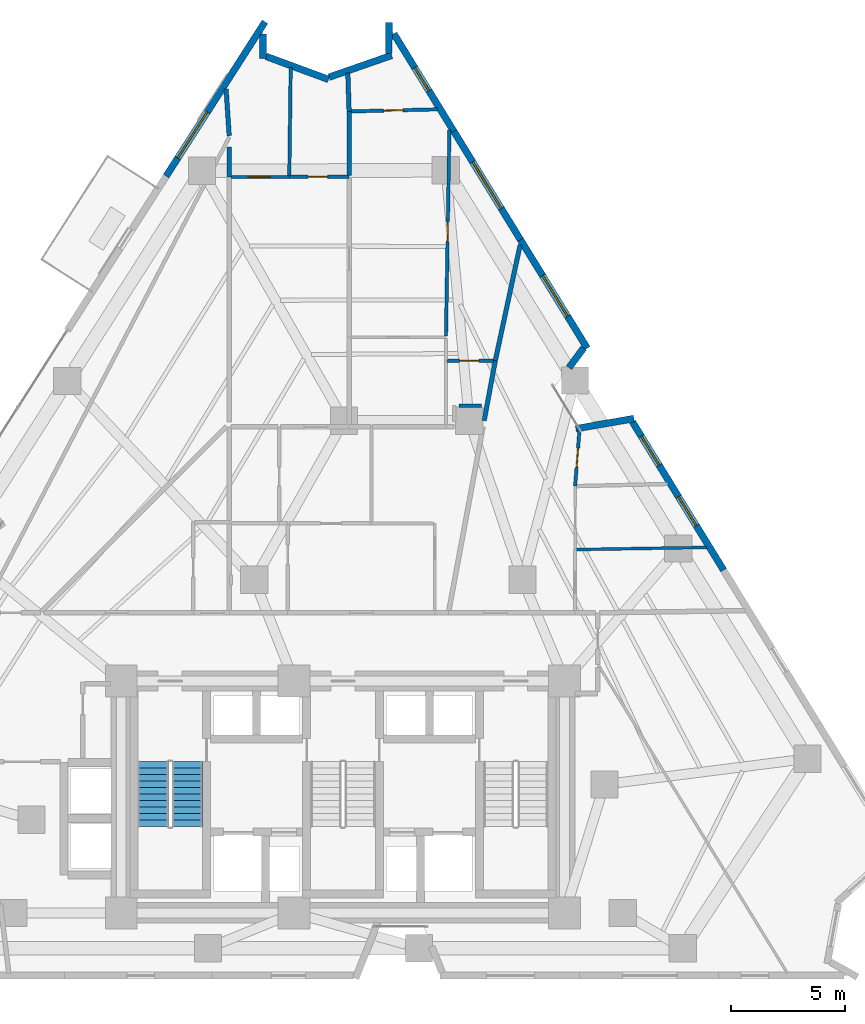
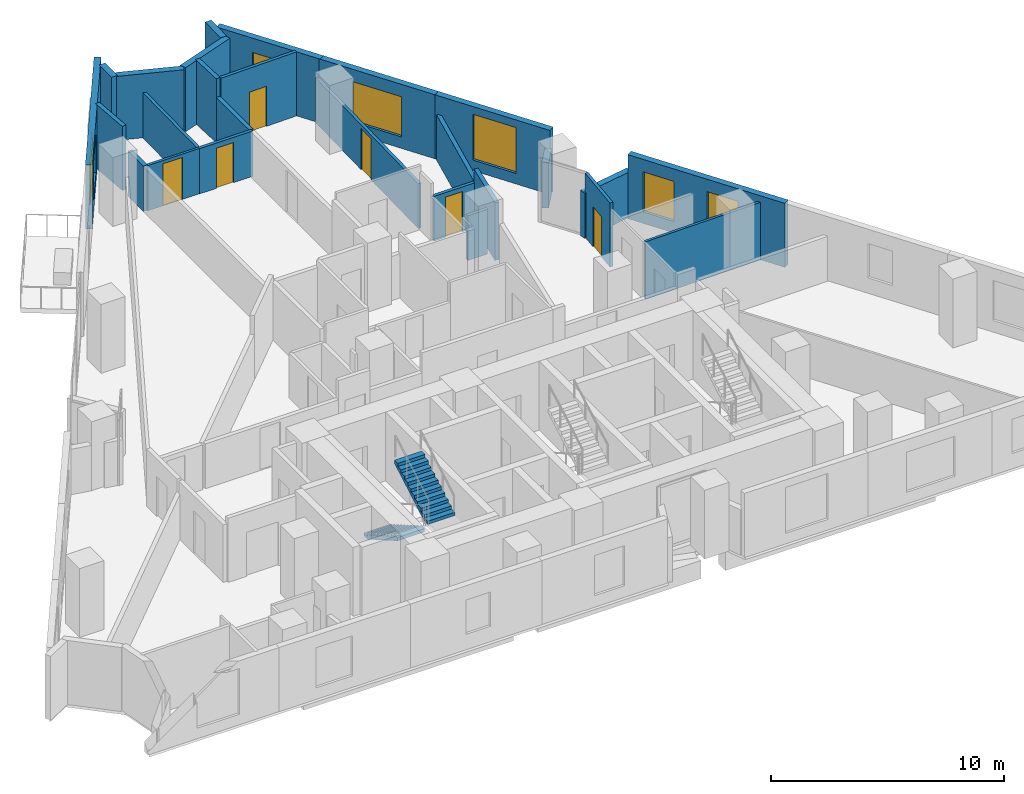
# One storey, part 9 of 13: 26 walls, 6 doors, 6 windows, 2 stair flights, 12 openings, 1 element without a shape of its own.
"""IFC4 building model written with IfcOpenShell, lengths in metres."""

from ifc_helpers import new_model, si_unit, direction, frame, frame_2d, origin, place, context, subcontext, project, spatial, polyline, rectangle, outline, extrude, material, layer, layer_set, type_object, element, fill, aggregate, save


model = new_model("IFC4")

# Units and contexts
model_context = context("Model", 3, precision=1e-05, world=origin(), true_north=direction((0.0, 1.0)))
body_context = subcontext(model_context, "Body", "Model", "MODEL_VIEW")
ifc_project = project(units=[si_unit("LENGTHUNIT", "METRE"), si_unit("AREAUNIT", "SQUARE_METRE"), si_unit("VOLUMEUNIT", "CUBIC_METRE"), si_unit("PLANEANGLEUNIT", "RADIAN"), si_unit("MASSUNIT", "GRAM", prefix="KILO")], contexts=[model_context])

# Site, building, storey
site_placement = place(None, origin())
site = spatial("IfcSite", under=ifc_project, at=site_placement, CompositionType="ELEMENT")
building_placement = place(site_placement, origin())
building = spatial("IfcBuilding", under=site, at=building_placement, Name="Almagre Mirador Tower", CompositionType="ELEMENT")
storey_placement = place(building_placement, frame((0.0, 0.0, 78.60009765625)))
storey = spatial("IfcBuildingStorey", under=building, at=storey_placement, Name="L19", CompositionType="ELEMENT", Elevation=78.60009765625)

# Wall, opening, window
ifc_material_1 = material(Name="Precast concrete C50/60", Category="concrete")
ifc_layer_1 = layer(ifc_material_1, 0.300048828125)
ifc_layer_set_1 = layer_set([ifc_layer_1], Name="Precast concrete C50/60")
wall_type_1 = type_object("IfcWallType", Name="WAL-EXT-300", PredefinedType="SOLIDWALL", material=ifc_layer_set_1)
wall_1_placement = place(storey_placement, frame((29.523681640625, 36.955322265625, 0.0), z_axis=(0.0, 0.0, 1.0), x_axis=(0.539470626143, 0.842004420136, 0.0)))
wall_1 = element("IfcWall", 1, at=wall_1_placement, inside=storey, type_object=wall_type_1, Name="L19 expressed almagre precast frame wall 05", PredefinedType="SOLIDWALL", context=body_context, shape_type="SweptSolid", body=[
    extrude(rectangle(XDim=8.057861328125, YDim=0.300048828125, at=frame_2d((4.02880859375, 0.0))), origin(), (0.0, 0.0, 1.0), 3.349853515625),
])
opening_1_placement = place(wall_1_placement, frame((0.949951171875, 0.0, 0.60009765625)))
opening_1 = element("IfcOpeningElement", 2, at=opening_1_placement, cuts=wall_1, Name="Opening WN-02", PredefinedType="OPENING", context=body_context, shape_type="SweptSolid", body=[
    extrude(rectangle(XDim=2.39990234375, YDim=2.10009765625, at=frame_2d((1.199951171875, 1.050048828125))), frame((0.0, 0.159902, 0.0), z_axis=(0.0, -1.0, 0.0), x_axis=(1.0, 0.0, 0.0)), (0.0, 0.0, 1.0), 0.320049),
])
ifc_material_2 = material(Name="Dark solar-control laminated hurricane glass", Category="glass")
window_type_1 = type_object("IfcWindowType", Name="WIN-2400X2100", PartitioningType="TRIPLE_PANEL_VERTICAL", PredefinedType="WINDOW", material=ifc_material_2)
window_1_placement = place(opening_1_placement, origin())
window_1 = element("IfcWindow", 3, at=window_1_placement, inside=storey, type_object=window_type_1, Name="L19 recessed hurricane window L19-RST-E", OverallHeight=2.10009765625, OverallWidth=2.39990234375, PartitioningType="SINGLE_PANEL", PredefinedType="WINDOW", context=body_context, shape_type="SweptSolid", body=[
    extrude(rectangle(XDim=2.39990234375, YDim=2.10009765625, at=frame_2d((1.199951171875, 1.050048828125))), frame((0.0, 0.030029296875, 0.0), z_axis=(0.0, -1.0, 0.0), x_axis=(1.0, 0.0, 0.0)), (0.0, 0.0, 1.0), 0.06005859375),
])
fill(opening_1, window_1)

# Walls
wall_2_placement = place(storey_placement, frame((33.791015625, 43.201904296875, 0.0), z_axis=(0.0, 0.0, 1.0), x_axis=(-0.009584224316, -0.999954070267, 0.0)))
element("IfcWall", 4, at=wall_2_placement, inside=storey, type_object=wall_type_1, Name="L19 expressed almagre precast frame wall 06", PredefinedType="SOLIDWALL", context=body_context, shape_type="SweptSolid", body=[
    extrude(rectangle(XDim=1.06982421875, YDim=0.300048828125, at=frame_2d((0.534912109375, 0.0))), origin(), (0.0, 0.0, 1.0), 3.349853515625),
])
wall_3_placement = place(storey_placement, frame((33.90869140625, 42.225341796875, 0.0), z_axis=(0.0, 0.0, 1.0), x_axis=(0.938225446259, -0.346024582931, 0.0)))
element("IfcWall", 5, at=wall_3_placement, inside=storey, type_object=wall_type_1, Name="L19 expressed almagre precast frame wall 07", PredefinedType="SOLIDWALL", context=body_context, shape_type="SweptSolid", body=[
    extrude(rectangle(XDim=2.94140625, YDim=0.300048828125, at=frame_2d((1.470703125, 0.0))), origin(), (0.0, 0.0, 1.0), 3.349853515625),
])
wall_4_placement = place(storey_placement, frame((36.688232421875, 41.30859375, 0.0), z_axis=(0.0, 0.0, 1.0), x_axis=(0.944571305793, 0.328306332978, 0.0)))
element("IfcWall", 6, at=wall_4_placement, inside=storey, type_object=wall_type_1, Name="L19 expressed almagre precast frame wall 08", PredefinedType="SOLIDWALL", context=body_context, shape_type="SweptSolid", body=[
    extrude(rectangle(XDim=2.91650390625, YDim=0.300048828125, at=frame_2d((1.458251953125, 0.0))), origin(), (0.0, 0.0, 1.0), 3.349853515625),
])
wall_5_placement = place(storey_placement, frame((39.312255859375, 42.35498046875, 0.0), z_axis=(0.0, 0.0, 1.0), x_axis=(0.008828484753, 0.999961028169, 0.0)))
element("IfcWall", 7, at=wall_5_placement, inside=storey, type_object=wall_type_1, Name="L19 expressed almagre precast frame wall 09", PredefinedType="SOLIDWALL", context=body_context, shape_type="SweptSolid", body=[
    extrude(rectangle(XDim=1.35498046875, YDim=0.300048828125, at=frame_2d((0.677490234375, 0.0))), origin(), (0.0, 0.0, 1.0), 3.349853515625),
])

# Wall, opening, window
wall_6_placement = place(storey_placement, frame((39.540283203125, 43.216552734375, 0.0), z_axis=(0.0, 0.0, 1.0), x_axis=(0.52373802156, -0.851879383935, 0.0)))
wall_6 = element("IfcWall", 8, at=wall_6_placement, inside=storey, type_object=wall_type_1, Name="L19 expressed almagre precast frame wall 10", PredefinedType="SOLIDWALL", context=body_context, shape_type="SweptSolid", body=[
    extrude(rectangle(XDim=5.04150390625, YDim=0.300048828125, at=frame_2d((2.520751953125, 0.0))), origin(), (0.0, 0.0, 1.0), 3.349853515625),
])
opening_2_placement = place(wall_6_placement, frame((1.7451171875, 0.0, 0.800048828125)))
opening_2 = element("IfcOpeningElement", 9, at=opening_2_placement, cuts=wall_6, Name="Opening WN-04", PredefinedType="OPENING", context=body_context, shape_type="SweptSolid", body=[
    extrude(rectangle(XDim=1.199951171875, YDim=1.800048828125, at=frame_2d((0.60009765625, 0.89990234375))), frame((0.0, 0.159902, 0.0), z_axis=(0.0, -1.0, 0.0), x_axis=(1.0, 0.0, 0.0)), (0.0, 0.0, 1.0), 0.320049),
])
ifc_material_3 = material(Name="Dark solar-control laminated hurricane glass", Category="glass")
window_type_2 = type_object("IfcWindowType", Name="WIN-1200X1800", PartitioningType="SINGLE_PANEL", PredefinedType="WINDOW", material=ifc_material_3)
window_2_placement = place(opening_2_placement, origin())
window_2 = element("IfcWindow", 10, at=window_2_placement, inside=storey, type_object=window_type_2, Name="L19 recessed hurricane window L19-UL-HB", OverallHeight=1.800048828125, OverallWidth=1.199951171875, PartitioningType="SINGLE_PANEL", PredefinedType="WINDOW", context=body_context, shape_type="SweptSolid", body=[
    extrude(rectangle(XDim=1.199951171875, YDim=1.800048828125, at=frame_2d((0.60009765625, 0.89990234375))), frame((0.0, 0.030029296875, 0.0), z_axis=(0.0, -1.0, 0.0), x_axis=(1.0, 0.0, 0.0)), (0.0, 0.0, 1.0), 0.06005859375),
])
fill(opening_2, window_2)

wall_7_placement = place(storey_placement, frame((42.15283203125, 38.967041015625, 0.0), z_axis=(0.0, 0.0, 1.0), x_axis=(0.523687465278, -0.851910464022, 0.0)))
wall_7 = element("IfcWall", 11, at=wall_7_placement, inside=storey, type_object=wall_type_1, Name="L19 expressed almagre precast frame wall 11", PredefinedType="SOLIDWALL", context=body_context, shape_type="SweptSolid", body=[
    extrude(rectangle(XDim=5.6494140625, YDim=0.300048828125, at=frame_2d((2.82470703125, 0.0))), origin(), (0.0, 0.0, 1.0), 3.349853515625),
])
opening_3_placement = place(wall_7_placement, frame((1.6279296875, 0.0, 0.60009765625)))
opening_3 = element("IfcOpeningElement", 12, at=opening_3_placement, cuts=wall_7, Name="Opening WN-02", PredefinedType="OPENING", context=body_context, shape_type="SweptSolid", body=[
    extrude(rectangle(XDim=2.39990234375, YDim=2.10009765625, at=frame_2d((1.199951171875, 1.050048828125))), frame((0.0, 0.159902, 0.0), z_axis=(0.0, -1.0, 0.0), x_axis=(1.0, 0.0, 0.0)), (0.0, 0.0, 1.0), 0.320049),
])
window_3_placement = place(opening_3_placement, origin())
window_3 = element("IfcWindow", 13, at=window_3_placement, inside=storey, type_object=window_type_1, Name="L19 recessed hurricane window L19-UL-MB", OverallHeight=2.10009765625, OverallWidth=2.39990234375, PartitioningType="SINGLE_PANEL", PredefinedType="WINDOW", context=body_context, shape_type="SweptSolid", body=[
    extrude(rectangle(XDim=2.39990234375, YDim=2.10009765625, at=frame_2d((1.199951171875, 1.050048828125))), frame((0.0, 0.030029296875, 0.0), z_axis=(0.0, -1.0, 0.0), x_axis=(1.0, 0.0, 0.0)), (0.0, 0.0, 1.0), 0.06005859375),
])
fill(opening_3, window_3)

wall_8_placement = place(storey_placement, frame((45.111328125, 34.154296875, 0.0), z_axis=(0.0, 0.0, 1.0), x_axis=(0.523710369238, -0.851896384047, 0.0)))
wall_8 = element("IfcWall", 14, at=wall_8_placement, inside=storey, type_object=wall_type_1, Name="L19 expressed almagre precast frame wall 12", PredefinedType="SOLIDWALL", context=body_context, shape_type="SweptSolid", body=[
    extrude(rectangle(XDim=5.596435546875, YDim=0.300048828125, at=frame_2d((2.79833984375, 0.0))), origin(), (0.0, 0.0, 1.0), 3.349853515625),
])
opening_4_placement = place(wall_8_placement, frame((1.85009765625, 0.0, 0.550048828125)))
opening_4 = element("IfcOpeningElement", 15, at=opening_4_placement, cuts=wall_8, Name="Opening WN-05", PredefinedType="OPENING", context=body_context, shape_type="SweptSolid", body=[
    extrude(rectangle(XDim=2.10009765625, YDim=2.39990234375, at=frame_2d((1.050048828125, 1.199951171875))), frame((0.0, 0.159902, 0.0), z_axis=(0.0, -1.0, 0.0), x_axis=(1.0, 0.0, 0.0)), (0.0, 0.0, 1.0), 0.320049),
])
ifc_material_4 = material(Name="Dark solar-control laminated hurricane glass", Category="glass")
window_type_3 = type_object("IfcWindowType", Name="WIN-2100X2400", PartitioningType="DOUBLE_PANEL_VERTICAL", PredefinedType="WINDOW", material=ifc_material_4)
window_4_placement = place(opening_4_placement, origin())
window_4 = element("IfcWindow", 16, at=window_4_placement, inside=storey, type_object=window_type_3, Name="L19 recessed hurricane window L19-UJ-LV", OverallHeight=2.39990234375, OverallWidth=2.10009765625, PartitioningType="SINGLE_PANEL", PredefinedType="WINDOW", context=body_context, shape_type="SweptSolid", body=[
    extrude(rectangle(XDim=2.10009765625, YDim=2.39990234375, at=frame_2d((1.050048828125, 1.199951171875))), frame((0.0, 0.030029296875, 0.0), z_axis=(0.0, -1.0, 0.0), x_axis=(1.0, 0.0, 0.0)), (0.0, 0.0, 1.0), 0.06005859375),
])
fill(opening_4, window_4)

# Walls
wall_9_placement = place(storey_placement, frame((47.88525390625, 29.393798828125, 0.0), z_axis=(0.0, 0.0, 1.0), x_axis=(-0.598186461049, -0.801356947819, 0.0)))
element("IfcWall", 17, at=wall_9_placement, inside=storey, type_object=wall_type_1, Name="L19 expressed almagre precast frame wall 13", PredefinedType="SOLIDWALL", context=body_context, shape_type="SweptSolid", body=[
    extrude(rectangle(XDim=1.077880859375, YDim=0.300048828125, at=frame_2d((0.5390625, 0.0))), origin(), (0.0, 0.0, 1.0), 2.375),
])
wall_10_placement = place(storey_placement, frame((47.541015625, 25.846923828125, 0.0), z_axis=(0.0, 0.0, 1.0), x_axis=(0.985095505459, 0.172008270511, 0.0)))
element("IfcWall", 18, at=wall_10_placement, inside=storey, type_object=wall_type_1, Name="L19 expressed almagre precast frame wall 14", PredefinedType="SOLIDWALL", context=body_context, shape_type="SweptSolid", body=[
    extrude(rectangle(XDim=2.594482421875, YDim=0.300048828125, at=frame_2d((1.29736328125, 0.0))), origin(), (0.0, 0.0, 1.0), 2.375),
])

# Wall, openings, windows
wall_11_placement = place(storey_placement, frame((50.0322265625, 26.14990234375, 0.0), z_axis=(0.0, 0.0, 1.0), x_axis=(0.523673810553, -0.851918857721, 0.0)))
wall_11 = element("IfcWall", 19, at=wall_11_placement, inside=storey, type_object=wall_type_1, Name="L19 expressed almagre precast frame wall 15", PredefinedType="SOLIDWALL", context=body_context, shape_type="SweptSolid", body=[
    extrude(rectangle(XDim=7.654296875, YDim=0.300048828125, at=frame_2d((3.8271484375, 0.0))), origin(), (0.0, 0.0, 1.0), 3.349853515625),
])
opening_5_placement = place(wall_11_placement, frame((0.7451171875, 0.0, 0.60009765625)))
opening_5 = element("IfcOpeningElement", 20, at=opening_5_placement, cuts=wall_11, Name="Opening WN-03", PredefinedType="OPENING", context=body_context, shape_type="SweptSolid", body=[
    extrude(rectangle(XDim=1.5, YDim=2.10009765625, at=frame_2d((0.75, 1.050048828125))), frame((0.0, 0.159902, 0.0), z_axis=(0.0, -1.0, 0.0), x_axis=(1.0, 0.0, 0.0)), (0.0, 0.0, 1.0), 0.320049),
])
opening_6_placement = place(wall_11_placement, frame((3.8701171875, 0.0, 0.60009765625)))
opening_6 = element("IfcOpeningElement", 21, at=opening_6_placement, cuts=wall_11, Name="Opening WN-03", PredefinedType="OPENING", context=body_context, shape_type="SweptSolid", body=[
    extrude(rectangle(XDim=1.5, YDim=2.10009765625, at=frame_2d((0.75, 1.050048828125))), frame((0.0, 0.159902, 0.0), z_axis=(0.0, -1.0, 0.0), x_axis=(1.0, 0.0, 0.0)), (0.0, 0.0, 1.0), 0.320049),
])
ifc_material_5 = material(Name="Dark solar-control laminated hurricane glass", Category="glass")
window_type_4 = type_object("IfcWindowType", Name="WIN-1500X2100", PartitioningType="DOUBLE_PANEL_VERTICAL", PredefinedType="WINDOW", material=ifc_material_5)
window_5_placement = place(opening_5_placement, origin())
window_5 = element("IfcWindow", 22, at=window_5_placement, inside=storey, type_object=window_type_4, Name="L19 recessed hurricane window L19-UJ-HB", OverallHeight=2.10009765625, OverallWidth=1.5, PartitioningType="SINGLE_PANEL", PredefinedType="WINDOW", context=body_context, shape_type="SweptSolid", body=[
    extrude(rectangle(XDim=1.5, YDim=2.10009765625, at=frame_2d((0.75, 1.050048828125))), frame((0.0, 0.030029296875, 0.0), z_axis=(0.0, -1.0, 0.0), x_axis=(1.0, 0.0, 0.0)), (0.0, 0.0, 1.0), 0.06005859375),
])
fill(opening_5, window_5)
window_6_placement = place(opening_6_placement, origin())
window_6 = element("IfcWindow", 23, at=window_6_placement, inside=storey, type_object=window_type_4, Name="L19 recessed hurricane window L19-UJ-MB", OverallHeight=2.10009765625, OverallWidth=1.5, PartitioningType="SINGLE_PANEL", PredefinedType="WINDOW", context=body_context, shape_type="SweptSolid", body=[
    extrude(rectangle(XDim=1.5, YDim=2.10009765625, at=frame_2d((0.75, 1.050048828125))), frame((0.0, 0.030029296875, 0.0), z_axis=(0.0, -1.0, 0.0), x_axis=(1.0, 0.0, 0.0)), (0.0, 0.0, 1.0), 0.06005859375),
])
fill(opening_6, window_6)

# Wall
ifc_material_6 = material(Name="Gypsum acoustic stud partition", Category="other")
ifc_layer_2 = layer(ifc_material_6, 0.125)
ifc_layer_set_2 = layer_set([ifc_layer_2], Name="Gypsum acoustic stud partition")
wall_type_2 = type_object("IfcWallType", Name="WAL-PRT-125-UTL", PredefinedType="PARTITIONING", material=ifc_layer_set_2)
wall_12_placement = place(storey_placement, frame((53.298095703125, 20.625, 0.0), z_axis=(0.0, 0.0, 1.0), x_axis=(-0.9998645785, -0.016456751239, 0.0)))
element("IfcWall", 24, at=wall_12_placement, inside=storey, type_object=wall_type_2, Name="L19 interior partition 057", PredefinedType="PARTITIONING", context=body_context, shape_type="SweptSolid", body=[
    extrude(rectangle(XDim=5.7412109375, YDim=0.125, at=frame_2d((2.87060546875, 0.0))), origin(), (0.0, 0.0, 1.0), 3.010009765625),
])

# Wall, opening, door
wall_13_placement = place(storey_placement, frame((34.93994140625, 36.919921875, 0.0), z_axis=(0.0, 0.0, 1.0), x_axis=(-1.0, 0.0, 0.0)))
wall_13 = element("IfcWall", 25, at=wall_13_placement, inside=storey, type_object=wall_type_2, Name="L19 interior partition 058", PredefinedType="PARTITIONING", context=body_context, shape_type="SweptSolid", body=[
    extrude(rectangle(XDim=2.554931640625, YDim=0.125, at=frame_2d((1.27734375, 0.0))), origin(), (0.0, 0.0, 1.0), 2.369873046875),
])
opening_7_placement = place(wall_13_placement, frame((0.844970703125, 0.0, 0.0)))
opening_7 = element("IfcOpeningElement", 26, at=opening_7_placement, cuts=wall_13, Name="Opening UD-01", PredefinedType="OPENING", context=body_context, shape_type="SweptSolid", body=[
    extrude(rectangle(XDim=0.949951171875, YDim=2.199951171875, at=frame_2d((0.47509765625, 1.10009765625))), frame((0.0, 0.0725, 0.0), z_axis=(0.0, -1.0, 0.0), x_axis=(1.0, 0.0, 0.0)), (0.0, 0.0, 1.0), 0.145),
])
ifc_material_7 = material(Name="Solid American walnut timber", Category="wood")
door_type_1 = type_object("IfcDoorType", Name="DOR-UNR-950X2200", OperationType="NOTDEFINED", PredefinedType="DOOR", material=ifc_material_7)
door_1_placement = place(opening_7_placement, origin())
door_1 = element("IfcDoor", 27, at=door_1_placement, inside=storey, type_object=door_type_1, Name="DR-0658 L19 interior door L19-UK-ST to L19-UK-KT", OperationType="SINGLE_SWING_RIGHT", OverallHeight=2.199951171875, OverallWidth=0.949951171875, PredefinedType="DOOR", context=body_context, shape_type="SweptSolid", body=[
    extrude(rectangle(XDim=0.949951171875, YDim=2.199951171875, at=frame_2d((0.47509765625, 1.10009765625))), frame((0.0, 0.02490234375, 0.0), z_axis=(0.0, -1.0, 0.0), x_axis=(1.0, 0.0, 0.0)), (0.0, 0.0, 1.0), 0.050048828125),
])
fill(opening_7, door_1)

ifc_material_8 = material(Name="Gypsum acoustic stud partition", Category="other")
ifc_layer_3 = layer(ifc_material_8, 0.14990234375)
ifc_layer_set_3 = layer_set([ifc_layer_3], Name="Gypsum acoustic stud partition")
wall_type_3 = type_object("IfcWallType", Name="WAL-PRT-150-STD", PredefinedType="PARTITIONING", material=ifc_layer_set_3)
wall_14_placement = place(storey_placement, frame((47.510009765625, 23.320068359375, 0.0), z_axis=(0.0, 0.0, 1.0), x_axis=(0.077275386284, 0.997009786649, 0.0)))
wall_14 = element("IfcWall", 28, at=wall_14_placement, inside=storey, type_object=wall_type_3, Name="L19 interior partition 051", PredefinedType="PARTITIONING", context=body_context, shape_type="SweptSolid", body=[
    extrude(rectangle(XDim=2.483154296875, YDim=0.14990234375, at=frame_2d((1.24169921875, 0.0))), origin(), (0.0, 0.0, 1.0), 3.349853515625),
])
opening_8_placement = place(wall_14_placement, frame((0.828125, 0.0, 0.0)))
opening_8 = element("IfcOpeningElement", 29, at=opening_8_placement, cuts=wall_14, Name="Opening UD-04", PredefinedType="OPENING", context=body_context, shape_type="SweptSolid", body=[
    extrude(rectangle(XDim=0.85009765625, YDim=2.10009765625, at=frame_2d((0.425048828125, 1.050048828125))), frame((0.0, 0.084951, 0.0), z_axis=(0.0, -1.0, 0.0), x_axis=(1.0, 0.0, 0.0)), (0.0, 0.0, 1.0), 0.169902),
])
ifc_material_9 = material(Name="Moisture-resistant oak timber", Category="wood")
door_type_2 = type_object("IfcDoorType", Name="DOR-UNR-850X2100", OperationType="NOTDEFINED", PredefinedType="DOOR", material=ifc_material_9)
door_2_placement = place(opening_8_placement, origin())
door_2 = element("IfcDoor", 30, at=door_2_placement, inside=storey, type_object=door_type_2, Name="DR-0656 L19 interior door L19-UJ-LV to L19-UJ-HB", OperationType="SINGLE_SWING_RIGHT", OverallHeight=2.10009765625, OverallWidth=0.85009765625, PredefinedType="DOOR", context=body_context, shape_type="SweptSolid", body=[
    extrude(rectangle(XDim=0.85009765625, YDim=2.10009765625, at=frame_2d((0.425048828125, 1.050048828125))), frame((0.0, 0.02490234375, 0.0), z_axis=(0.0, -1.0, 0.0), x_axis=(1.0, 0.0, 0.0)), (0.0, 0.0, 1.0), 0.050048828125),
])
fill(opening_8, door_2)

wall_15_placement = place(storey_placement, frame((37.570068359375, 36.919921875, 0.0), z_axis=(0.0, 0.0, 1.0), x_axis=(-1.0, 0.0, 0.0)))
wall_15 = element("IfcWall", 31, at=wall_15_placement, inside=storey, type_object=wall_type_3, Name="L19 interior partition 059", PredefinedType="PARTITIONING", context=body_context, shape_type="SweptSolid", body=[
    extrude(rectangle(XDim=2.630126953125, YDim=0.14990234375, at=frame_2d((1.31494140625, 0.0))), origin(), (0.0, 0.0, 1.0), 2.369873046875),
])
opening_9_placement = place(wall_15_placement, frame((0.94775390625, 0.0, 0.0)))
opening_9 = element("IfcOpeningElement", 32, at=opening_9_placement, cuts=wall_15, Name="Opening UD-04", PredefinedType="OPENING", context=body_context, shape_type="SweptSolid", body=[
    extrude(rectangle(XDim=0.85009765625, YDim=2.10009765625, at=frame_2d((0.425048828125, 1.050048828125))), frame((0.0, 0.084951, 0.0), z_axis=(0.0, -1.0, 0.0), x_axis=(1.0, 0.0, 0.0)), (0.0, 0.0, 1.0), 0.169902),
])
door_3_placement = place(opening_9_placement, origin())
door_3 = element("IfcDoor", 33, at=door_3_placement, inside=storey, type_object=door_type_2, Name="DR-0659 L19 interior door L19-UK-ST to L19-UK-BT", OperationType="SINGLE_SWING_LEFT", OverallHeight=2.10009765625, OverallWidth=0.85009765625, PredefinedType="DOOR", context=body_context, shape_type="SweptSolid", body=[
    extrude(rectangle(XDim=0.85009765625, YDim=2.10009765625, at=frame_2d((0.425048828125, 1.050048828125))), frame((0.0, 0.02490234375, 0.0), z_axis=(0.0, -1.0, 0.0), x_axis=(1.0, 0.0, 0.0)), (0.0, 0.0, 1.0), 0.050048828125),
])
fill(opening_9, door_3)

# Wall
wall_16_placement = place(storey_placement, frame((34.9404296875, 36.967529296875, 0.0), z_axis=(0.0, 0.0, 1.0), x_axis=(0.012728014725, 0.99991899554, 0.0)))
element("IfcWall", 34, at=wall_16_placement, inside=storey, type_object=wall_type_3, Name="L19 interior partition 062", PredefinedType="PARTITIONING", context=body_context, shape_type="SweptSolid", body=[
    extrude(rectangle(XDim=4.757080078125, YDim=0.14990234375, at=frame_2d((2.37841796875, 0.0))), origin(), (0.0, 0.0, 1.0), 2.369873046875),
])

# Wall, opening, door
wall_17_placement = place(storey_placement, frame((41.448974609375, 39.89111328125, 0.0), z_axis=(0.0, 0.0, 1.0), x_axis=(-0.999721247685, -0.02360989047, 0.0)))
wall_17 = element("IfcWall", 35, at=wall_17_placement, inside=storey, type_object=wall_type_3, Name="L19 interior partition 065", PredefinedType="PARTITIONING", context=body_context, shape_type="SweptSolid", body=[
    extrude(rectangle(XDim=3.794921875, YDim=0.14990234375, at=frame_2d((1.8974609375, 0.0))), origin(), (0.0, 0.0, 1.0), 3.349853515625),
])
opening_10_placement = place(wall_17_placement, frame((1.505615234375, 0.0, 0.0)))
opening_10 = element("IfcOpeningElement", 36, at=opening_10_placement, cuts=wall_17, Name="Opening UD-04", PredefinedType="OPENING", context=body_context, shape_type="SweptSolid", body=[
    extrude(rectangle(XDim=0.85009765625, YDim=2.10009765625, at=frame_2d((0.425048828125, 1.050048828125))), frame((0.0, 0.084951, 0.0), z_axis=(0.0, -1.0, 0.0), x_axis=(1.0, 0.0, 0.0)), (0.0, 0.0, 1.0), 0.169902),
])
door_4_placement = place(opening_10_placement, origin())
door_4 = element("IfcDoor", 37, at=door_4_placement, inside=storey, type_object=door_type_2, Name="DR-0661 L19 interior door L19-UL-LV to L19-UL-HB", OperationType="SINGLE_SWING_LEFT", OverallHeight=2.10009765625, OverallWidth=0.85009765625, PredefinedType="DOOR", context=body_context, shape_type="SweptSolid", body=[
    extrude(rectangle(XDim=0.85009765625, YDim=2.10009765625, at=frame_2d((0.425048828125, 1.050048828125))), frame((0.0, 0.02490234375, 0.0), z_axis=(0.0, -1.0, 0.0), x_axis=(1.0, 0.0, 0.0)), (0.0, 0.0, 1.0), 0.050048828125),
])
fill(opening_10, door_4)

wall_18_placement = place(storey_placement, frame((41.83056640625, 29.91748046875, 0.0), z_axis=(0.0, 0.0, 1.0), x_axis=(0.016599696118, 0.999862215552, 0.0)))
wall_18 = element("IfcWall", 38, at=wall_18_placement, inside=storey, type_object=wall_type_3, Name="L19 interior partition 067", PredefinedType="PARTITIONING", context=body_context, shape_type="SweptSolid", body=[
    extrude(rectangle(XDim=9.059814453125, YDim=0.14990234375, at=frame_2d((4.52978515625, 0.0))), origin(), (0.0, 0.0, 1.0), 2.344970703125),
])
opening_11_placement = place(wall_18_placement, frame((4.151611328125, 0.0, 0.0)))
opening_11 = element("IfcOpeningElement", 39, at=opening_11_placement, cuts=wall_18, Name="Opening UD-02", PredefinedType="OPENING", context=body_context, shape_type="SweptSolid", body=[
    extrude(rectangle(XDim=0.89990234375, YDim=2.14990234375, at=frame_2d((0.449951171875, 1.074951171875))), frame((0.0, 0.084951, 0.0), z_axis=(0.0, -1.0, 0.0), x_axis=(1.0, 0.0, 0.0)), (0.0, 0.0, 1.0), 0.169902),
])
ifc_material_10 = material(Name="Solid American walnut timber", Category="wood")
door_type_3 = type_object("IfcDoorType", Name="DOR-UNR-900X2150", OperationType="NOTDEFINED", PredefinedType="DOOR", material=ifc_material_10)
door_5_placement = place(opening_11_placement, origin())
door_5 = element("IfcDoor", 40, at=door_5_placement, inside=storey, type_object=door_type_3, Name="DR-0662 L19 interior door L19-UL-LV to L19-UL-MB", OperationType="SINGLE_SWING_RIGHT", OverallHeight=2.14990234375, OverallWidth=0.89990234375, PredefinedType="DOOR", context=body_context, shape_type="SweptSolid", body=[
    extrude(rectangle(XDim=0.89990234375, YDim=2.14990234375, at=frame_2d((0.449951171875, 1.074951171875))), frame((0.0, 0.02490234375, 0.0), z_axis=(0.0, -1.0, 0.0), x_axis=(1.0, 0.0, 0.0)), (0.0, 0.0, 1.0), 0.050048828125),
])
fill(opening_11, door_5)

wall_19_placement = place(storey_placement, frame((41.87744140625, 28.840087890625, 0.0), z_axis=(0.0, 0.0, 1.0), x_axis=(1.0, 0.0, 0.0)))
wall_19 = element("IfcWall", 41, at=wall_19_placement, inside=storey, type_object=wall_type_3, Name="L19 interior partition 070", PredefinedType="PARTITIONING", context=body_context, shape_type="SweptSolid", body=[
    extrude(rectangle(XDim=2.03759765625, YDim=0.14990234375, at=frame_2d((1.018798828125, 0.0))), origin(), (0.0, 0.0, 1.0), 2.344970703125),
])
opening_12_placement = place(wall_19_placement, frame((0.5546875, 0.0, 0.0)))
opening_12 = element("IfcOpeningElement", 42, at=opening_12_placement, cuts=wall_19, Name="Opening UD-04", PredefinedType="OPENING", context=body_context, shape_type="SweptSolid", body=[
    extrude(rectangle(XDim=0.85009765625, YDim=2.10009765625, at=frame_2d((0.425048828125, 1.050048828125))), frame((0.0, 0.084951, 0.0), z_axis=(0.0, -1.0, 0.0), x_axis=(1.0, 0.0, 0.0)), (0.0, 0.0, 1.0), 0.169902),
])
door_6_placement = place(opening_12_placement, origin())
door_6 = element("IfcDoor", 43, at=door_6_placement, inside=storey, type_object=door_type_2, Name="DR-0663 L19 interior door L19-UL-MB to L19-UL-EN", OperationType="SINGLE_SWING_LEFT", OverallHeight=2.10009765625, OverallWidth=0.85009765625, PredefinedType="DOOR", context=body_context, shape_type="SweptSolid", body=[
    extrude(rectangle(XDim=0.85009765625, YDim=2.10009765625, at=frame_2d((0.425048828125, 1.050048828125))), frame((0.0, 0.02490234375, 0.0), z_axis=(0.0, -1.0, 0.0), x_axis=(1.0, 0.0, 0.0)), (0.0, 0.0, 1.0), 0.050048828125),
])
fill(opening_12, door_6)

# Walls
wall_20_placement = place(storey_placement, frame((42.405029296875, 26.860107421875, 0.0), z_axis=(0.0, 0.0, 1.0), x_axis=(1.0, 0.0, 0.0)))
element("IfcWall", 44, at=wall_20_placement, inside=storey, type_object=wall_type_3, Name="L19 interior partition 073", PredefinedType="PARTITIONING", context=body_context, shape_type="SweptSolid", body=[
    extrude(rectangle(XDim=0.98291015625, YDim=0.14990234375, at=frame_2d((0.491455078125, 0.0))), origin(), (0.0, 0.0, 1.0), 2.344970703125),
])
ifc_material_11 = material(Name="Gypsum acoustic stud partition", Category="other")
ifc_layer_4 = layer(ifc_material_11, 0.199951171875)
ifc_layer_set_4 = layer_set([ifc_layer_4], Name="Gypsum acoustic stud partition")
wall_type_4 = type_object("IfcWallType", Name="WAL-PRT-200-EI60", PredefinedType="PARTITIONING", material=ifc_layer_set_4)
wall_21_placement = place(storey_placement, frame((32.296875, 38.72998046875, 0.0), z_axis=(0.0, 0.0, 1.0), x_axis=(-0.066629370629, 0.997777794386, 0.0)))
element("IfcWall", 45, at=wall_21_placement, inside=storey, type_object=wall_type_4, Name="L19 interior partition 026", PredefinedType="PARTITIONING", context=body_context, shape_type="SweptSolid", body=[
    extrude(rectangle(XDim=2.0556640625, YDim=0.199951171875, at=frame_2d((1.02783203125, 0.0))), origin(), (0.0, 0.0, 1.0), 3.349853515625),
])
wall_22_placement = place(storey_placement, frame((32.300048828125, 36.919921875, 0.0), z_axis=(0.0, 0.0, 1.0), x_axis=(0.0, 1.0, 0.0)))
element("IfcWall", 46, at=wall_22_placement, inside=storey, type_object=wall_type_4, Name="L19 interior partition 036", PredefinedType="PARTITIONING", context=body_context, shape_type="SweptSolid", body=[
    extrude(rectangle(XDim=1.3173828125, YDim=0.199951171875, at=frame_2d((0.65869140625, 0.0))), origin(), (0.0, 0.0, 1.0), 2.369873046875),
])
wall_23_placement = place(storey_placement, frame((45.093017578125, 33.931884765625, 0.0), z_axis=(0.0, 0.0, 1.0), x_axis=(-0.209881245986, -0.977726885476, 0.0)))
element("IfcWall", 47, at=wall_23_placement, inside=storey, type_object=wall_type_4, Name="L19 interior partition 054", PredefinedType="PARTITIONING", context=body_context, shape_type="SweptSolid", body=[
    extrude(rectangle(XDim=5.207763671875, YDim=0.199951171875, at=frame_2d((2.60400390625, 0.0))), origin(), (0.0, 0.0, 1.0), 2.369873046875),
])
wall_24_placement = place(storey_placement, frame((44.0, 28.840087890625, 0.0), z_axis=(0.0, 0.0, 1.0), x_axis=(-0.18247668152, -0.983210181345, 0.0)))
element("IfcWall", 48, at=wall_24_placement, inside=storey, type_object=wall_type_4, Name="L19 interior partition 055", PredefinedType="PARTITIONING", context=body_context, shape_type="SweptSolid", body=[
    extrude(rectangle(XDim=2.685302734375, YDim=0.199951171875, at=frame_2d((1.3427734375, 0.0))), origin(), (0.0, 0.0, 1.0), 3.010009765625),
])
wall_25_placement = place(storey_placement, frame((37.570068359375, 36.97998046875, 0.0), z_axis=(0.0, 0.0, 1.0), x_axis=(0.0, 1.0, 0.0)))
element("IfcWall", 49, at=wall_25_placement, inside=storey, type_object=wall_type_4, Name="L19 interior partition 063", PredefinedType="PARTITIONING", context=body_context, shape_type="SweptSolid", body=[
    extrude(rectangle(XDim=2.820068359375, YDim=0.199951171875, at=frame_2d((1.41015625, 0.0))), origin(), (0.0, 0.0, 1.0), 2.369873046875),
])
wall_26_placement = place(storey_placement, frame((37.570068359375, 39.800048828125, 0.0), z_axis=(0.0, 0.0, 1.0), x_axis=(-0.033089686033, 0.999452386399, 0.0)))
element("IfcWall", 50, at=wall_26_placement, inside=storey, type_object=wall_type_4, Name="L19 interior partition 064", PredefinedType="PARTITIONING", context=body_context, shape_type="SweptSolid", body=[
    extrude(rectangle(XDim=1.697021484375, YDim=0.199951171875, at=frame_2d((0.8486328125, 0.0))), origin(), (0.0, 0.0, 1.0), 3.349853515625),
])

# Stair, stair flights
ifc_material_12 = material(Name="Concrete C45/55", Category="concrete")
stair_type = type_object("IfcStairType", Name="STR-DL-3600", PredefinedType="HALF_TURN_STAIR", material=ifc_material_12)
stair_placement = place(storey_placement, origin())
stair = element("IfcStair", 51, at=stair_placement, inside=storey, type_object=stair_type, Name="L19 Protected exit stair ST-1", PredefinedType="HALF_TURN_STAIR")
ifc_material_13 = material(Name="Concrete C45/55", Category="concrete")
stair_flight_type = type_object("IfcStairFlightType", Name="FLT-DL-3600", PredefinedType="STRAIGHT", material=ifc_material_13)
stair_flight_1_placement = place(storey_placement, frame((28.949951171875, 11.199951171875, 0.0), z_axis=(0.0, 0.0, 1.0), x_axis=(0.0, -1.0, 0.0)))
stair_flight_1 = element("IfcStairFlight", 52, at=stair_flight_1_placement, type_object=stair_flight_type, Name="ST-1 flight 1", NumberOfRisers=11, NumberOfTreads=10, PredefinedType="STRAIGHT", RiserHeight=0.163636364, TreadLength=0.285, context=body_context, shape_type="SweptSolid", body=[
    extrude(outline(polyline([(0.0, 0.0), (0.0, 0.16357421875), (0.284912109375, 0.16357421875), (0.284912109375, 0.327392578125), (0.570068359375, 0.327392578125), (0.570068359375, 0.490966796875), (0.85498046875, 0.490966796875), (0.85498046875, 0.654541015625), (1.139892578125, 0.654541015625), (1.139892578125, 0.818115234375), (1.425048828125, 0.818115234375), (1.425048828125, 0.98193359375), (1.7099609375, 0.98193359375), (1.7099609375, 1.1455078125), (1.9951171875, 1.1455078125), (1.9951171875, 1.30908203125), (2.280029296875, 1.30908203125), (2.280029296875, 1.47265625), (2.56494140625, 1.47265625), (2.56494140625, 1.636474609375), (2.85009765625, 1.636474609375), (2.85009765625, 1.800048828125), (2.85009765625, 1.463623046875), (0.301025390625, 0.0), (0.0, 0.0)])), frame((0.0, 0.675048828125, 0.0), z_axis=(0.0, -1.0, 0.0), x_axis=(1.0, 0.0, 0.0)), (0.0, 0.0, 1.0), 1.35009765625),
])
stair_flight_2_placement = place(storey_placement, frame((30.449951171875, 8.35009765625, 1.7998046875), z_axis=(0.0, 0.0, 1.0), x_axis=(0.0, 1.0, 0.0)))
stair_flight_2 = element("IfcStairFlight", 53, at=stair_flight_2_placement, type_object=stair_flight_type, Name="ST-1 flight 2", NumberOfRisers=11, NumberOfTreads=10, PredefinedType="STRAIGHT", RiserHeight=0.163636364, TreadLength=0.285, context=body_context, shape_type="SweptSolid", body=[
    extrude(outline(polyline([(0.0, 0.0), (0.0, 0.16357421875), (0.284912109375, 0.16357421875), (0.284912109375, 0.327392578125), (0.570068359375, 0.327392578125), (0.570068359375, 0.490966796875), (0.85498046875, 0.490966796875), (0.85498046875, 0.654541015625), (1.139892578125, 0.654541015625), (1.139892578125, 0.818115234375), (1.425048828125, 0.818115234375), (1.425048828125, 0.98193359375), (1.7099609375, 0.98193359375), (1.7099609375, 1.1455078125), (1.9951171875, 1.1455078125), (1.9951171875, 1.30908203125), (2.280029296875, 1.30908203125), (2.280029296875, 1.47265625), (2.56494140625, 1.47265625), (2.56494140625, 1.636474609375), (2.85009765625, 1.636474609375), (2.85009765625, 1.800048828125), (2.85009765625, 1.463623046875), (0.301025390625, 0.0), (0.0, 0.0)])), frame((0.0, 0.675048828125, 0.0), z_axis=(0.0, -1.0, 0.0), x_axis=(1.0, 0.0, 0.0)), (0.0, 0.0, 1.0), 1.35009765625),
])
aggregate(stair, [stair_flight_1, stair_flight_2])

save(model, "model.ifc")
